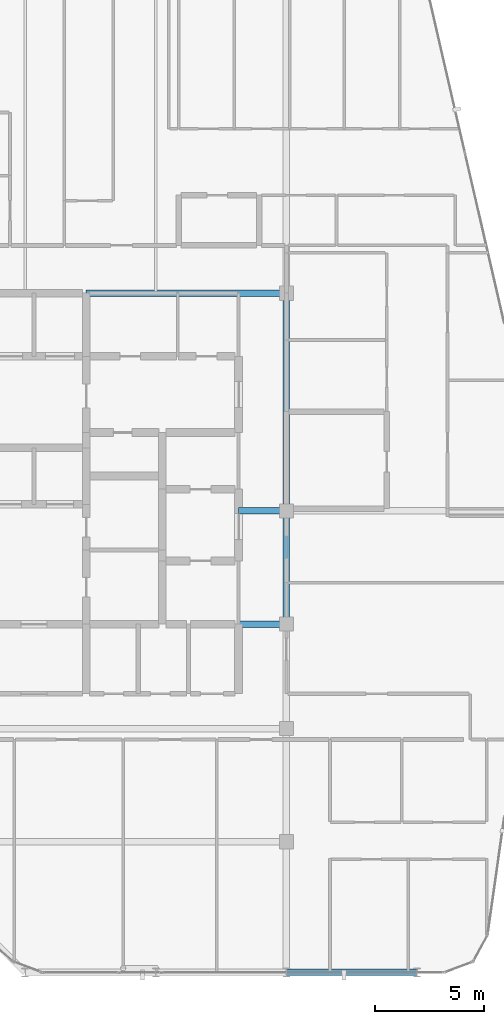
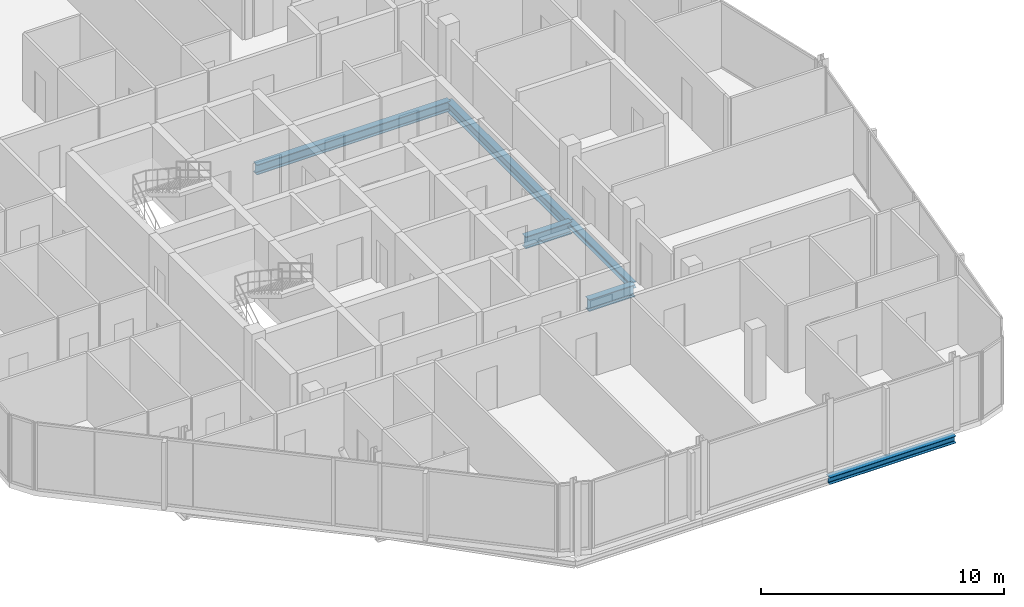
# One storey, part 11 of 27: 6 beams.
"""IFC4 building model written with IfcOpenShell, lengths in metres."""

from ifc_helpers import new_model, si_unit, direction, frame, origin, origin_2d, place, context, subcontext, project, spatial, i_section, extrude, material, material_profile, profile_set, type_object, element, save


model = new_model("IFC4")

# Units and contexts
model_context = context("Model", 3, precision=1e-05, world=origin(), true_north=direction((0.0, 1.0)))
body_context = subcontext(model_context, "Body", "Model", "MODEL_VIEW")
ifc_project = project(units=[si_unit("LENGTHUNIT", "METRE"), si_unit("AREAUNIT", "SQUARE_METRE"), si_unit("VOLUMEUNIT", "CUBIC_METRE"), si_unit("PLANEANGLEUNIT", "RADIAN"), si_unit("MASSUNIT", "GRAM", prefix="KILO")], contexts=[model_context])

# Site, building, storey
site_placement = place(None, origin())
site = spatial("IfcSite", under=ifc_project, at=site_placement, CompositionType="ELEMENT")
building_placement = place(site_placement, origin())
building = spatial("IfcBuilding", under=site, at=building_placement, Name="Keshet Zoharim Tower", CompositionType="ELEMENT")
storey_placement = place(building_placement, frame((0.0, 0.0, 295.39990234375)))
storey = spatial("IfcBuildingStorey", under=building, at=storey_placement, Name="L74", CompositionType="ELEMENT", Elevation=295.39990234375)

# Beams
ifc_material = material(Name="Steel S355", Category="steel")
ifc_material_profile_1 = material_profile(ifc_material, i_section(OverallWidth=0.300048828125, OverallDepth=0.60009765625, WebThickness=0.015380859375, FlangeThickness=0.030029296875, FilletRadius=0.027099609375, at=origin_2d()), Name="HEB600")
ifc_profile_set_1 = profile_set([ifc_material_profile_1], Name="Steel S355")
beam_type_1 = type_object("IfcBeamType", Name="BM-CLK-HB600", PredefinedType="BEAM", material=ifc_profile_set_1)
for number, where, z_axis, x_axis, name in (
    (1, (30.800048828125, 22.699951171875, -0.60986328125), (1.0, 0.0, 0.0), (0.0, 1.0, 0.0), "L74 Core Wall Link Girder 01"),
    (2, (30.800048828125, 27.89990234375, -0.60986328125), (1.0, 0.0, 0.0), (0.0, 1.0, 0.0), "L74 Core Wall Link Girder 02"),
):
    element("IfcBeam", number, at=place(storey_placement, frame(where, z_axis=z_axis, x_axis=x_axis)), inside=storey, type_object=beam_type_1, Name=name, PredefinedType="BEAM", context=body_context, shape_type="SweptSolid", body=[
        extrude(i_section(OverallWidth=0.300048828125, OverallDepth=0.60009765625, WebThickness=0.015380859375, FlangeThickness=0.030029296875, FilletRadius=0.027099609375, at=origin_2d()), origin(), (0.0, 0.0, 1.0), 2.199951171875),
    ])
ifc_material_profile_2 = material_profile(ifc_material, i_section(OverallWidth=0.300048828125, OverallDepth=0.5, WebThickness=0.014404296875, FlangeThickness=0.028076171875, FilletRadius=0.027099609375, at=origin_2d()), Name="HEB500")
ifc_profile_set_2 = profile_set([ifc_material_profile_2], Name="Steel S355")
beam_type_2 = type_object("IfcBeamType", Name="BM-MED-HB500", PredefinedType="BEAM", material=ifc_profile_set_2)
beam_1_placement = place(storey_placement, frame((23.800048828125, 37.89990234375, -0.559814453125), z_axis=(1.0, 0.0, 0.0), x_axis=(0.0, 1.0, 0.0)))
element("IfcBeam", 3, at=beam_1_placement, inside=storey, type_object=beam_type_2, Name="L74 Primary Girder X-009", PredefinedType="BEAM", context=body_context, shape_type="SweptSolid", body=[
    extrude(i_section(OverallWidth=0.300048828125, OverallDepth=0.5, WebThickness=0.014404296875, FlangeThickness=0.028076171875, FilletRadius=0.027099609375, at=origin_2d()), origin(), (0.0, 0.0, 1.0), 9.199951171875),
])
beam_2_placement = place(storey_placement, frame((33.0, 27.89990234375, -0.559814453125), z_axis=(0.0, 1.0, 0.0), x_axis=(-1.0, 0.0, 0.0)))
element("IfcBeam", 4, at=beam_2_placement, inside=storey, type_object=beam_type_2, Name="L74 Primary Girder Y-008", PredefinedType="BEAM", context=body_context, shape_type="SweptSolid", body=[
    extrude(i_section(OverallWidth=0.300048828125, OverallDepth=0.5, WebThickness=0.014404296875, FlangeThickness=0.028076171875, FilletRadius=0.027099609375, at=origin_2d()), origin(), (0.0, 0.0, 1.0), 10.0),
])
ifc_material_profile_3 = material_profile(ifc_material, i_section(OverallWidth=0.300048828125, OverallDepth=0.2900390625, WebThickness=0.008544921875, FlangeThickness=0.013916015625, FilletRadius=0.027099609375, at=origin_2d()), Name="HEA300")
ifc_profile_set_3 = profile_set([ifc_material_profile_3], Name="Steel S355")
beam_type_3 = type_object("IfcBeamType", Name="BM-PRI-HA300", PredefinedType="BEAM", material=ifc_profile_set_3)
beam_3_placement = place(storey_placement, frame((33.0, 22.699951171875, -0.454833984375), z_axis=(0.0, 1.0, 0.0), x_axis=(-1.0, 0.0, 0.0)))
element("IfcBeam", 5, at=beam_3_placement, inside=storey, type_object=beam_type_3, Name="L74 Primary Girder Y-007", PredefinedType="BEAM", context=body_context, shape_type="SweptSolid", body=[
    extrude(i_section(OverallWidth=0.300048828125, OverallDepth=0.2900390625, WebThickness=0.008544921875, FlangeThickness=0.013916015625, FilletRadius=0.027099609375, at=origin_2d()), origin(), (0.0, 0.0, 1.0), 5.199951171875),
])
ifc_material_profile_4 = material_profile(ifc_material, i_section(OverallWidth=0.300048828125, OverallDepth=0.35009765625, WebThickness=0.010009765625, FlangeThickness=0.017578125, FilletRadius=0.027099609375, at=origin_2d()), Name="HEA360")
ifc_profile_set_4 = profile_set([ifc_material_profile_4], Name="Steel S355")
beam_type_4 = type_object("IfcBeamType", Name="BM-PRI-HA360", PredefinedType="BEAM", material=ifc_profile_set_4)
beam_4_placement = place(storey_placement, frame((33.0, 6.699951171875, -0.48486328125), z_axis=(1.0, 0.0, 0.0), x_axis=(0.0, 1.0, 0.0)))
element("IfcBeam", 6, at=beam_4_placement, inside=storey, type_object=beam_type_4, Name="L74 Primary Girder X-003", PredefinedType="BEAM", context=body_context, shape_type="SweptSolid", body=[
    extrude(i_section(OverallWidth=0.300048828125, OverallDepth=0.35009765625, WebThickness=0.010009765625, FlangeThickness=0.017578125, FilletRadius=0.027099609375, at=origin_2d()), origin(), (0.0, 0.0, 1.0), 6.0),
])

save(model, "model.ifc")
